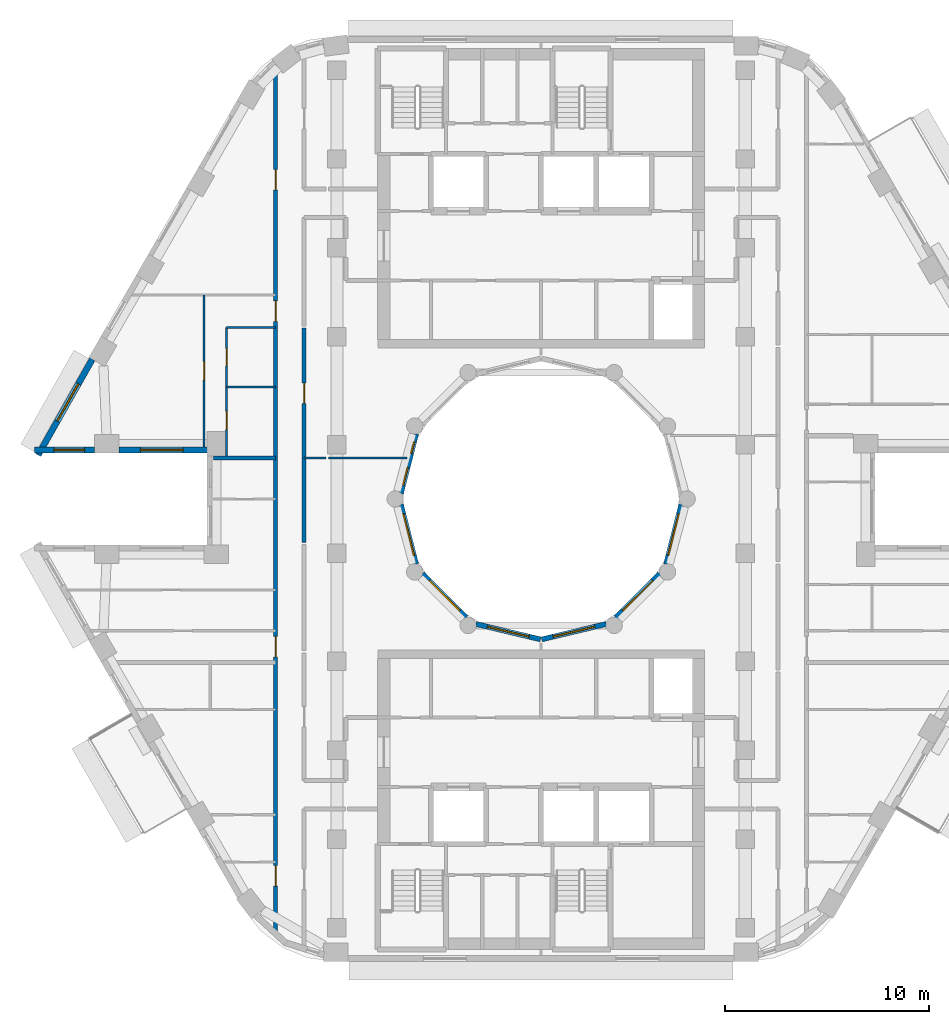
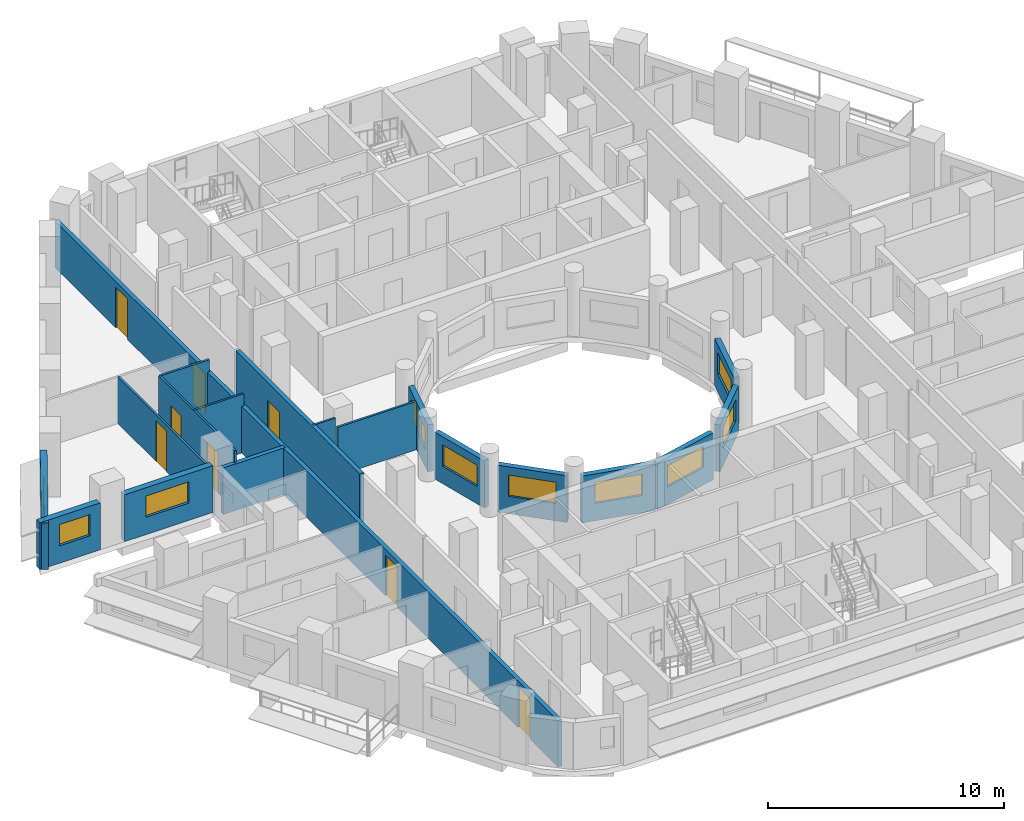
# One storey, part 5 of 18: 19 walls, 11 windows, 8 doors, 19 openings.
"""IFC4 building model written with IfcOpenShell, lengths in metres."""

from ifc_helpers import new_model, si_unit, direction, frame, frame_2d, origin, place, context, subcontext, project, spatial, rectangle, extrude, material, layer, layer_set, type_object, element, fill, save


model = new_model("IFC4")

# Units and contexts
model_context = context("Model", 3, precision=1e-05, world=origin(), true_north=direction((0.0, 1.0)))
body_context = subcontext(model_context, "Body", "Model", "MODEL_VIEW")
ifc_project = project(units=[si_unit("LENGTHUNIT", "METRE"), si_unit("AREAUNIT", "SQUARE_METRE"), si_unit("VOLUMEUNIT", "CUBIC_METRE"), si_unit("PLANEANGLEUNIT", "RADIAN"), si_unit("MASSUNIT", "GRAM", prefix="KILO")], contexts=[model_context])

# Site, building, storey
site_placement = place(None, origin())
site = spatial("IfcSite", under=ifc_project, at=site_placement, CompositionType="ELEMENT")
building_placement = place(site_placement, origin())
building = spatial("IfcBuilding", under=site, at=building_placement, Name="Nakaniwa Court", CompositionType="ELEMENT")
storey_placement = place(building_placement, frame((0.0, 0.0, 180.0)))
storey = spatial("IfcBuildingStorey", under=building, at=storey_placement, Name="L46", CompositionType="ELEMENT", Elevation=180.0)

# Wall, opening, door
ifc_material_1 = material(Name="Acoustic double stud partition")
ifc_layer_1 = layer(ifc_material_1, 0.199951171875)
ifc_layer_set_1 = layer_set([ifc_layer_1], Name="Acoustic double stud partition")
wall_type_1 = type_object("IfcWallType", Name="Acoustic double stud partition 200", PredefinedType="PARTITIONING", material=ifc_layer_set_1)
wall_1_placement = place(storey_placement, frame((68.39990234375, 88.36279296875, 0.0), z_axis=(0.0, 0.0, 1.0), x_axis=(0.0, -1.0, 0.0)))
wall_1 = element("IfcWall", 1, at=wall_1_placement, inside=storey, type_object=wall_type_1, Name="Partition PW-101", PredefinedType="PARTITIONING", context=body_context, shape_type="SweptSolid", body=[
    extrude(rectangle(XDim=10.485595703125, YDim=0.199951171875, at=frame_2d((5.24267578125, 0.0))), origin(), (0.0, 0.0, 1.0), 3.02490234375),
])
opening_1_placement = place(wall_1_placement, frame((2.68310546875, 0.0, 0.0)))
opening_1 = element("IfcOpeningElement", 2, at=opening_1_placement, cuts=wall_1, Name="Opening D-02-06", PredefinedType="OPENING", context=body_context, shape_type="SweptSolid", body=[
    extrude(rectangle(XDim=1.0, YDim=2.10009765625, at=frame_2d((0.5, 1.050048828125))), frame((0.0, 0.10986328125, 0.0), z_axis=(0.0, -1.0, 0.0), x_axis=(1.0, 0.0, 0.0)), (0.0, 0.0, 1.0), 0.219970703125),
])
ifc_material_2 = material(Name="Solid core timber door set, black veneer", Category="wood")
door_type_1 = type_object("IfcDoorType", Name="Internal door 1000", OperationType="NOTDEFINED", PredefinedType="DOOR", material=ifc_material_2)
door_1_placement = place(opening_1_placement, origin())
door_1 = element("IfcDoor", 3, at=door_1_placement, inside=storey, type_object=door_type_1, Name="Door D-02-06 L46-059", OperationType="SINGLE_SWING_RIGHT", OverallHeight=2.10009765625, OverallWidth=1.0, PredefinedType="DOOR", context=body_context, shape_type="SweptSolid", body=[
    extrude(rectangle(XDim=1.0, YDim=2.10009765625, at=frame_2d((0.5, 1.050048828125))), frame((0.0, 0.02490234375, 0.0), z_axis=(0.0, -1.0, 0.0), x_axis=(1.0, 0.0, 0.0)), (0.0, 0.0, 1.0), 0.050048828125),
])
fill(opening_1, door_1)

# Wall, openings, doors
wall_2_placement = place(storey_placement, frame((67.0, 58.67431640625, 0.0), z_axis=(0.0, 0.0, 1.0), x_axis=(0.0, 1.0, 0.0)))
wall_2 = element("IfcWall", 4, at=wall_2_placement, inside=storey, type_object=wall_type_1, Name="Partition PW-104", PredefinedType="PARTITIONING", context=body_context, shape_type="SweptSolid", body=[
    extrude(rectangle(XDim=42.591796875, YDim=0.199951171875, at=frame_2d((21.2958984375, 0.0))), origin(), (0.0, 0.0, 1.0), 2.405029296875),
])
opening_2_placement = place(wall_2_placement, frame((2.3759765625, 0.0, 0.0)))
opening_2 = element("IfcOpeningElement", 5, at=opening_2_placement, cuts=wall_2, Name="Opening D-01-04", PredefinedType="OPENING", context=body_context, shape_type="SweptSolid", body=[
    extrude(rectangle(XDim=1.0, YDim=2.10009765625, at=frame_2d((0.5, 1.050048828125))), frame((0.0, 0.10986328125, 0.0), z_axis=(0.0, -1.0, 0.0), x_axis=(1.0, 0.0, 0.0)), (0.0, 0.0, 1.0), 0.219970703125),
])
opening_3_placement = place(wall_2_placement, frame((13.60107421875, 0.0, 0.0)))
opening_3 = element("IfcOpeningElement", 6, at=opening_3_placement, cuts=wall_2, Name="Opening D-01-05", PredefinedType="OPENING", context=body_context, shape_type="SweptSolid", body=[
    extrude(rectangle(XDim=1.0, YDim=2.10009765625, at=frame_2d((0.5, 1.050048828125))), frame((0.0, 0.10986328125, 0.0), z_axis=(0.0, -1.0, 0.0), x_axis=(1.0, 0.0, 0.0)), (0.0, 0.0, 1.0), 0.219970703125),
])
opening_4_placement = place(wall_2_placement, frame((30.02587890625, 0.0, 0.0)))
opening_4 = element("IfcOpeningElement", 7, at=opening_4_placement, cuts=wall_2, Name="Opening D-01-06", PredefinedType="OPENING", context=body_context, shape_type="SweptSolid", body=[
    extrude(rectangle(XDim=1.0, YDim=2.10009765625, at=frame_2d((0.5, 1.050048828125))), frame((0.0, 0.10986328125, 0.0), z_axis=(0.0, -1.0, 0.0), x_axis=(1.0, 0.0, 0.0)), (0.0, 0.0, 1.0), 0.219970703125),
])
opening_5_placement = place(wall_2_placement, frame((36.45703125, 0.0, 0.0)))
opening_5 = element("IfcOpeningElement", 8, at=opening_5_placement, cuts=wall_2, Name="Opening D-02-08", PredefinedType="OPENING", context=body_context, shape_type="SweptSolid", body=[
    extrude(rectangle(XDim=1.0, YDim=2.10009765625, at=frame_2d((0.5, 1.050048828125))), frame((0.0, 0.10986328125, 0.0), z_axis=(0.0, -1.0, 0.0), x_axis=(1.0, 0.0, 0.0)), (0.0, 0.0, 1.0), 0.219970703125),
])
door_type_2 = type_object("IfcDoorType", Name="Flat entrance door 1000", OperationType="NOTDEFINED", PredefinedType="DOOR", material=ifc_material_2)
door_2_placement = place(opening_2_placement, origin())
door_2 = element("IfcDoor", 9, at=door_2_placement, inside=storey, type_object=door_type_2, Name="Door D-01-04 L46-045", OperationType="SINGLE_SWING_RIGHT", OverallHeight=2.10009765625, OverallWidth=1.0, PredefinedType="DOOR", context=body_context, shape_type="SweptSolid", body=[
    extrude(rectangle(XDim=1.0, YDim=2.10009765625, at=frame_2d((0.5, 1.050048828125))), frame((0.0, 0.02490234375, 0.0), z_axis=(0.0, -1.0, 0.0), x_axis=(1.0, 0.0, 0.0)), (0.0, 0.0, 1.0), 0.050048828125),
])
fill(opening_2, door_2)
door_3_placement = place(opening_3_placement, origin())
door_3 = element("IfcDoor", 10, at=door_3_placement, inside=storey, type_object=door_type_2, Name="Door D-01-05 L46-051", OperationType="SINGLE_SWING_RIGHT", OverallHeight=2.10009765625, OverallWidth=1.0, PredefinedType="DOOR", context=body_context, shape_type="SweptSolid", body=[
    extrude(rectangle(XDim=1.0, YDim=2.10009765625, at=frame_2d((0.5, 1.050048828125))), frame((0.0, 0.02490234375, 0.0), z_axis=(0.0, -1.0, 0.0), x_axis=(1.0, 0.0, 0.0)), (0.0, 0.0, 1.0), 0.050048828125),
])
fill(opening_3, door_3)
door_4_placement = place(opening_4_placement, origin())
door_4 = element("IfcDoor", 11, at=door_4_placement, inside=storey, type_object=door_type_2, Name="Door D-01-06 L46-055", OperationType="SINGLE_SWING_RIGHT", OverallHeight=2.10009765625, OverallWidth=1.0, PredefinedType="DOOR", context=body_context, shape_type="SweptSolid", body=[
    extrude(rectangle(XDim=1.0, YDim=2.10009765625, at=frame_2d((0.5, 1.050048828125))), frame((0.0, 0.02490234375, 0.0), z_axis=(0.0, -1.0, 0.0), x_axis=(1.0, 0.0, 0.0)), (0.0, 0.0, 1.0), 0.050048828125),
])
fill(opening_4, door_4)
door_5_placement = place(opening_5_placement, origin())
door_5 = element("IfcDoor", 12, at=door_5_placement, inside=storey, type_object=door_type_1, Name="Door D-02-08 L46-061", OperationType="SINGLE_SWING_RIGHT", OverallHeight=2.10009765625, OverallWidth=1.0, PredefinedType="DOOR", context=body_context, shape_type="SweptSolid", body=[
    extrude(rectangle(XDim=1.0, YDim=2.10009765625, at=frame_2d((0.5, 1.050048828125))), frame((0.0, 0.02490234375, 0.0), z_axis=(0.0, -1.0, 0.0), x_axis=(1.0, 0.0, 0.0)), (0.0, 0.0, 1.0), 0.050048828125),
])
fill(opening_5, door_5)

# Wall
wall_3_placement = place(storey_placement, frame((63.950439453125, 82.0, 0.0), z_axis=(0.0, 0.0, 1.0), x_axis=(1.0, 0.0, 0.0)))
element("IfcWall", 13, at=wall_3_placement, inside=storey, type_object=wall_type_1, Name="Partition PW-138", PredefinedType="PARTITIONING", context=body_context, shape_type="SweptSolid", body=[
    extrude(rectangle(XDim=3.048583984375, YDim=0.199951171875, at=frame_2d((1.5244140625, 0.0))), origin(), (0.0, 0.0, 1.0), 2.405029296875),
])

# Wall, opening, window
ifc_material_3 = material(Name="Charcoal ceramic cladding")
ifc_layer_2 = layer(ifc_material_3, 0.02, Name="Ceramic cladding")
ifc_material_4 = material(Name="Ventilated air cavity")
ifc_layer_3 = layer(ifc_material_4, 0.04, ventilated=True, Name="Ventilated cavity")
ifc_material_5 = material(Name="Mineral wool insulation")
ifc_layer_4 = layer(ifc_material_5, 0.1, Name="Insulation")
ifc_material_6 = material(Name="Cement bonded sheathing board")
ifc_layer_5 = layer(ifc_material_6, 0.012, Name="Sheathing")
ifc_material_7 = material(Name="Cold-formed galvanised stud frame with mineral wool infill")
ifc_layer_6 = layer(ifc_material_7, 0.1, Name="Stud frame")
ifc_material_8 = material(Name="Fire-rated gypsum plasterboard lining")
ifc_layer_7 = layer(ifc_material_8, 0.028, Name="Lining")
ifc_layer_set_2 = layer_set([ifc_layer_2, ifc_layer_3, ifc_layer_4, ifc_layer_5, ifc_layer_6, ifc_layer_7], Name="Charcoal ceramic faced external wall system")
wall_type_2 = type_object("IfcWallType", Name="Black ceramic faced external wall 300", PredefinedType="SOLIDWALL", material=ifc_layer_set_2)
wall_4_placement = place(storey_placement, frame((58.023193359375, 86.843017578125, 0.0), z_axis=(0.0, 0.0, 1.0), x_axis=(-0.492033360928, -0.870576344575, 0.0)))
wall_4 = element("IfcWall", 14, at=wall_4_placement, inside=storey, type_object=wall_type_2, Name="L46 external wall 14", PredefinedType="SOLIDWALL", context=body_context, shape_type="SweptSolid", body=[
    extrude(rectangle(XDim=5.38671875, YDim=0.300048828125, at=frame_2d((2.693359375, 0.0))), origin(), (0.0, 0.0, 1.0), 2.425048828125),
])
opening_6_placement = place(wall_4_placement, frame((1.38037109375, 0.0, 0.89990234375)))
opening_6 = element("IfcOpeningElement", 15, at=opening_6_placement, cuts=wall_4, Name="Opening W7.14", PredefinedType="OPENING", context=body_context, shape_type="SweptSolid", body=[
    extrude(rectangle(XDim=2.10009765625, YDim=1.10009765625, at=frame_2d((1.050048828125, 0.550048828125))), frame((0.0, 0.159912109375, 0.0), z_axis=(0.0, -1.0, 0.0), x_axis=(1.0, 0.0, 0.0)), (0.0, 0.0, 1.0), 0.320068359375),
])
ifc_material_9 = material(Name="Black anodised aluminium frame with dark low-E laminated double glazing", Category="aluminium")
window_type_1 = type_object("IfcWindowType", Name="Dark glass window 2100x1100 sill 900", PartitioningType="SINGLE_PANEL", PredefinedType="WINDOW", material=ifc_material_9)
window_1_placement = place(opening_6_placement, origin())
window_1 = element("IfcWindow", 16, at=window_1_placement, inside=storey, type_object=window_type_1, Name="L46 living window 14-0", OverallHeight=1.10009765625, OverallWidth=2.10009765625, PartitioningType="SINGLE_PANEL", PredefinedType="WINDOW", context=body_context, shape_type="SweptSolid", body=[
    extrude(rectangle(XDim=2.10009765625, YDim=1.10009765625, at=frame_2d((1.050048828125, 0.550048828125))), frame((0.0, 0.030029296875, 0.0), z_axis=(0.0, -1.0, 0.0), x_axis=(1.0, 0.0, 0.0)), (0.0, 0.0, 1.0), 0.06005859375),
])
fill(opening_6, window_1)

wall_5_placement = place(storey_placement, frame((55.2021484375, 82.39990234375, 0.0), z_axis=(0.0, 0.0, 1.0), x_axis=(1.0, 0.0, 0.0)))
wall_5 = element("IfcWall", 17, at=wall_5_placement, inside=storey, type_object=wall_type_2, Name="L46 external wall 15", PredefinedType="SOLIDWALL", context=body_context, shape_type="SweptSolid", body=[
    extrude(rectangle(XDim=2.937744140625, YDim=0.300048828125, at=frame_2d((1.46875, 0.0))), origin(), (0.0, 0.0, 1.0), 2.425048828125),
])
opening_7_placement = place(wall_5_placement, frame((0.944091796875, 0.0, 0.89990234375)))
opening_7 = element("IfcOpeningElement", 18, at=opening_7_placement, cuts=wall_5, Name="Opening W5.15", PredefinedType="OPENING", context=body_context, shape_type="SweptSolid", body=[
    extrude(rectangle(XDim=1.5, YDim=1.10009765625, at=frame_2d((0.75, 0.550048828125))), frame((0.0, 0.159912109375, 0.0), z_axis=(0.0, -1.0, 0.0), x_axis=(1.0, 0.0, 0.0)), (0.0, 0.0, 1.0), 0.320068359375),
])
window_type_2 = type_object("IfcWindowType", Name="Dark glass window 1500x1100 sill 900", PartitioningType="SINGLE_PANEL", PredefinedType="WINDOW", material=ifc_material_9)
window_2_placement = place(opening_7_placement, origin())
window_2 = element("IfcWindow", 19, at=window_2_placement, inside=storey, type_object=window_type_2, Name="L46 living window 15-0", OverallHeight=1.10009765625, OverallWidth=1.5, PartitioningType="SINGLE_PANEL", PredefinedType="WINDOW", context=body_context, shape_type="SweptSolid", body=[
    extrude(rectangle(XDim=1.5, YDim=1.10009765625, at=frame_2d((0.75, 0.550048828125))), frame((0.0, 0.030029296875, 0.0), z_axis=(0.0, -1.0, 0.0), x_axis=(1.0, 0.0, 0.0)), (0.0, 0.0, 1.0), 0.06005859375),
])
fill(opening_7, window_2)

wall_6_placement = place(storey_placement, frame((59.33203125, 82.39990234375, 0.0), z_axis=(0.0, 0.0, 1.0), x_axis=(1.0, 0.0, 0.0)))
wall_6 = element("IfcWall", 20, at=wall_6_placement, inside=storey, type_object=wall_type_2, Name="L46 external wall 16", PredefinedType="SOLIDWALL", context=body_context, shape_type="SweptSolid", body=[
    extrude(rectangle(XDim=4.322509765625, YDim=0.300048828125, at=frame_2d((2.1611328125, 0.0))), origin(), (0.0, 0.0, 1.0), 2.425048828125),
])
opening_8_placement = place(wall_6_placement, frame((1.04541015625, 0.0, 0.89990234375)))
opening_8 = element("IfcOpeningElement", 21, at=opening_8_placement, cuts=wall_6, Name="Opening W7.16", PredefinedType="OPENING", context=body_context, shape_type="SweptSolid", body=[
    extrude(rectangle(XDim=2.10009765625, YDim=1.10009765625, at=frame_2d((1.050048828125, 0.550048828125))), frame((0.0, 0.159912109375, 0.0), z_axis=(0.0, -1.0, 0.0), x_axis=(1.0, 0.0, 0.0)), (0.0, 0.0, 1.0), 0.320068359375),
])
window_3_placement = place(opening_8_placement, origin())
window_3 = element("IfcWindow", 22, at=window_3_placement, inside=storey, type_object=window_type_1, Name="L46 living window 16-0", OverallHeight=1.10009765625, OverallWidth=2.10009765625, PartitioningType="SINGLE_PANEL", PredefinedType="WINDOW", context=body_context, shape_type="SweptSolid", body=[
    extrude(rectangle(XDim=2.10009765625, YDim=1.10009765625, at=frame_2d((1.050048828125, 0.550048828125))), frame((0.0, 0.030029296875, 0.0), z_axis=(0.0, -1.0, 0.0), x_axis=(1.0, 0.0, 0.0)), (0.0, 0.0, 1.0), 0.06005859375),
])
fill(opening_8, window_3)

ifc_layer_8 = layer(ifc_material_3, 0.02, Name="Ceramic cladding")
ifc_layer_9 = layer(ifc_material_4, 0.04, ventilated=True, Name="Ventilated cavity")
ifc_layer_10 = layer(ifc_material_5, 0.075, Name="Insulation")
ifc_layer_11 = layer(ifc_material_6, 0.012, Name="Sheathing")
ifc_layer_12 = layer(ifc_material_7, 0.075, Name="Stud frame")
ifc_layer_13 = layer(ifc_material_8, 0.028, Name="Lining")
ifc_layer_set_3 = layer_set([ifc_layer_8, ifc_layer_9, ifc_layer_10, ifc_layer_11, ifc_layer_12, ifc_layer_13], Name="Charcoal ceramic faced external wall system")
wall_type_3 = type_object("IfcWallType", Name="Charcoal ceramic faced well wall 250", PredefinedType="SOLIDWALL", material=ifc_layer_set_3)
wall_7_placement = place(storey_placement, frame((86.8603515625, 79.72998046875, 0.0), z_axis=(0.0, 0.0, 1.0), x_axis=(-0.247055971283, -0.969001211069, 0.0)))
wall_7 = element("IfcWall", 23, at=wall_7_placement, inside=storey, type_object=wall_type_3, Name="L46 external wall 36", PredefinedType="SOLIDWALL", context=body_context, shape_type="SweptSolid", body=[
    extrude(rectangle(XDim=3.010009765625, YDim=0.25, at=frame_2d((1.5048828125, 0.0))), origin(), (0.0, 0.0, 1.0), 2.425048828125),
])
opening_9_placement = place(wall_7_placement, frame((0.46875, 0.0, 0.89990234375)))
opening_9 = element("IfcOpeningElement", 24, at=opening_9_placement, cuts=wall_7, Name="Opening W7.37", PredefinedType="OPENING", context=body_context, shape_type="SweptSolid", body=[
    extrude(rectangle(XDim=2.10009765625, YDim=1.10009765625, at=frame_2d((1.050048828125, 0.550048828125))), frame((0.0, 0.135009765625, 0.0), z_axis=(0.0, -1.0, 0.0), x_axis=(1.0, 0.0, 0.0)), (0.0, 0.0, 1.0), 0.27001953125),
])
window_4_placement = place(opening_9_placement, origin())
window_4 = element("IfcWindow", 25, at=window_4_placement, inside=storey, type_object=window_type_1, Name="L46 habitable room window 36-0", OverallHeight=1.10009765625, OverallWidth=2.10009765625, PartitioningType="SINGLE_PANEL", PredefinedType="WINDOW", context=body_context, shape_type="SweptSolid", body=[
    extrude(rectangle(XDim=2.10009765625, YDim=1.10009765625, at=frame_2d((1.050048828125, 0.550048828125))), frame((0.0, 0.030029296875, 0.0), z_axis=(0.0, -1.0, 0.0), x_axis=(1.0, 0.0, 0.0)), (0.0, 0.0, 1.0), 0.06005859375),
])
fill(opening_9, window_4)

wall_8_placement = place(storey_placement, frame((85.8056640625, 76.339111328125, 0.0), z_axis=(0.0, 0.0, 1.0), x_axis=(-0.707106781187, -0.707106781187, 0.0)))
wall_8 = element("IfcWall", 26, at=wall_8_placement, inside=storey, type_object=wall_type_3, Name="L46 external wall 37", PredefinedType="SOLIDWALL", context=body_context, shape_type="SweptSolid", body=[
    extrude(rectangle(XDim=3.033203125, YDim=0.25, at=frame_2d((1.5166015625, 0.0))), origin(), (0.0, 0.0, 1.0), 2.425048828125),
])
opening_10_placement = place(wall_8_placement, frame((0.466552734375, 0.0, 0.89990234375)))
opening_10 = element("IfcOpeningElement", 27, at=opening_10_placement, cuts=wall_8, Name="Opening W7.38", PredefinedType="OPENING", context=body_context, shape_type="SweptSolid", body=[
    extrude(rectangle(XDim=2.10009765625, YDim=1.10009765625, at=frame_2d((1.050048828125, 0.550048828125))), frame((0.0, 0.135009765625, 0.0), z_axis=(0.0, -1.0, 0.0), x_axis=(1.0, 0.0, 0.0)), (0.0, 0.0, 1.0), 0.27001953125),
])
window_5_placement = place(opening_10_placement, origin())
window_5 = element("IfcWindow", 28, at=window_5_placement, inside=storey, type_object=window_type_1, Name="L46 habitable room window 37-0", OverallHeight=1.10009765625, OverallWidth=2.10009765625, PartitioningType="SINGLE_PANEL", PredefinedType="WINDOW", context=body_context, shape_type="SweptSolid", body=[
    extrude(rectangle(XDim=2.10009765625, YDim=1.10009765625, at=frame_2d((1.050048828125, 0.550048828125))), frame((0.0, 0.030029296875, 0.0), z_axis=(0.0, -1.0, 0.0), x_axis=(1.0, 0.0, 0.0)), (0.0, 0.0, 1.0), 0.06005859375),
])
fill(opening_10, window_5)

wall_9_placement = place(storey_placement, frame((83.186279296875, 73.880615234375, 0.0), z_axis=(0.0, 0.0, 1.0), x_axis=(-0.972773113459, -0.231759508395, 0.0)))
wall_9 = element("IfcWall", 29, at=wall_9_placement, inside=storey, type_object=wall_type_3, Name="L46 external wall 38", PredefinedType="SOLIDWALL", context=body_context, shape_type="SweptSolid", body=[
    extrude(rectangle(XDim=3.24560546875, YDim=0.25, at=frame_2d((1.622802734375, 0.0))), origin(), (0.0, 0.0, 1.0), 2.425048828125),
])
opening_11_placement = place(wall_9_placement, frame((0.57275390625, 0.0, 0.89990234375)))
opening_11 = element("IfcOpeningElement", 30, at=opening_11_placement, cuts=wall_9, Name="Opening W7.39", PredefinedType="OPENING", context=body_context, shape_type="SweptSolid", body=[
    extrude(rectangle(XDim=2.10009765625, YDim=1.10009765625, at=frame_2d((1.050048828125, 0.550048828125))), frame((0.0, 0.135009765625, 0.0), z_axis=(0.0, -1.0, 0.0), x_axis=(1.0, 0.0, 0.0)), (0.0, 0.0, 1.0), 0.27001953125),
])
window_6_placement = place(opening_11_placement, origin())
window_6 = element("IfcWindow", 31, at=window_6_placement, inside=storey, type_object=window_type_1, Name="L46 habitable room window 38-0", OverallHeight=1.10009765625, OverallWidth=2.10009765625, PartitioningType="SINGLE_PANEL", PredefinedType="WINDOW", context=body_context, shape_type="SweptSolid", body=[
    extrude(rectangle(XDim=2.10009765625, YDim=1.10009765625, at=frame_2d((1.050048828125, 0.550048828125))), frame((0.0, 0.030029296875, 0.0), z_axis=(0.0, -1.0, 0.0), x_axis=(1.0, 0.0, 0.0)), (0.0, 0.0, 1.0), 0.06005859375),
])
fill(opening_11, window_6)

wall_10_placement = place(storey_placement, frame((79.970947265625, 73.12841796875, 0.0), z_axis=(0.0, 0.0, 1.0), x_axis=(-0.972773113459, 0.231759508395, 0.0)))
wall_10 = element("IfcWall", 32, at=wall_10_placement, inside=storey, type_object=wall_type_3, Name="L46 external wall 39", PredefinedType="SOLIDWALL", context=body_context, shape_type="SweptSolid", body=[
    extrude(rectangle(XDim=3.24560546875, YDim=0.25, at=frame_2d((1.622802734375, 0.0))), origin(), (0.0, 0.0, 1.0), 2.425048828125),
])
opening_12_placement = place(wall_10_placement, frame((0.57275390625, 0.0, 0.89990234375)))
opening_12 = element("IfcOpeningElement", 33, at=opening_12_placement, cuts=wall_10, Name="Opening W7.40", PredefinedType="OPENING", context=body_context, shape_type="SweptSolid", body=[
    extrude(rectangle(XDim=2.10009765625, YDim=1.10009765625, at=frame_2d((1.050048828125, 0.550048828125))), frame((0.0, 0.135009765625, 0.0), z_axis=(0.0, -1.0, 0.0), x_axis=(1.0, 0.0, 0.0)), (0.0, 0.0, 1.0), 0.27001953125),
])
window_7_placement = place(opening_12_placement, origin())
window_7 = element("IfcWindow", 34, at=window_7_placement, inside=storey, type_object=window_type_1, Name="L46 habitable room window 39-0", OverallHeight=1.10009765625, OverallWidth=2.10009765625, PartitioningType="SINGLE_PANEL", PredefinedType="WINDOW", context=body_context, shape_type="SweptSolid", body=[
    extrude(rectangle(XDim=2.10009765625, YDim=1.10009765625, at=frame_2d((1.050048828125, 0.550048828125))), frame((0.0, 0.030029296875, 0.0), z_axis=(0.0, -1.0, 0.0), x_axis=(1.0, 0.0, 0.0)), (0.0, 0.0, 1.0), 0.06005859375),
])
fill(opening_12, window_7)

wall_11_placement = place(storey_placement, frame((76.339111328125, 74.1943359375, 0.0), z_axis=(0.0, 0.0, 1.0), x_axis=(-0.707106781187, 0.707106781187, 0.0)))
wall_11 = element("IfcWall", 35, at=wall_11_placement, inside=storey, type_object=wall_type_3, Name="L46 external wall 40", PredefinedType="SOLIDWALL", context=body_context, shape_type="SweptSolid", body=[
    extrude(rectangle(XDim=3.033203125, YDim=0.25, at=frame_2d((1.5166015625, 0.0))), origin(), (0.0, 0.0, 1.0), 2.425048828125),
])
opening_13_placement = place(wall_11_placement, frame((0.466552734375, 0.0, 0.89990234375)))
opening_13 = element("IfcOpeningElement", 36, at=opening_13_placement, cuts=wall_11, Name="Opening W7.41", PredefinedType="OPENING", context=body_context, shape_type="SweptSolid", body=[
    extrude(rectangle(XDim=2.10009765625, YDim=1.10009765625, at=frame_2d((1.050048828125, 0.550048828125))), frame((0.0, 0.135009765625, 0.0), z_axis=(0.0, -1.0, 0.0), x_axis=(1.0, 0.0, 0.0)), (0.0, 0.0, 1.0), 0.27001953125),
])
window_8_placement = place(opening_13_placement, origin())
window_8 = element("IfcWindow", 37, at=window_8_placement, inside=storey, type_object=window_type_1, Name="L46 habitable room window 40-0", OverallHeight=1.10009765625, OverallWidth=2.10009765625, PartitioningType="SINGLE_PANEL", PredefinedType="WINDOW", context=body_context, shape_type="SweptSolid", body=[
    extrude(rectangle(XDim=2.10009765625, YDim=1.10009765625, at=frame_2d((1.050048828125, 0.550048828125))), frame((0.0, 0.030029296875, 0.0), z_axis=(0.0, -1.0, 0.0), x_axis=(1.0, 0.0, 0.0)), (0.0, 0.0, 1.0), 0.06005859375),
])
fill(opening_13, window_8)

wall_12_placement = place(storey_placement, frame((73.88330078125, 76.813232421875, 0.0), z_axis=(0.0, 0.0, 1.0), x_axis=(-0.247055971283, 0.969001211069, 0.0)))
wall_12 = element("IfcWall", 38, at=wall_12_placement, inside=storey, type_object=wall_type_3, Name="L46 external wall 41", PredefinedType="SOLIDWALL", context=body_context, shape_type="SweptSolid", body=[
    extrude(rectangle(XDim=3.010009765625, YDim=0.25, at=frame_2d((1.5048828125, 0.0))), origin(), (0.0, 0.0, 1.0), 2.425048828125),
])
opening_14_placement = place(wall_12_placement, frame((0.441162109375, 0.0, 0.89990234375)))
opening_14 = element("IfcOpeningElement", 39, at=opening_14_placement, cuts=wall_12, Name="Opening W7.42", PredefinedType="OPENING", context=body_context, shape_type="SweptSolid", body=[
    extrude(rectangle(XDim=2.10009765625, YDim=1.10009765625, at=frame_2d((1.050048828125, 0.550048828125))), frame((0.0, 0.135009765625, 0.0), z_axis=(0.0, -1.0, 0.0), x_axis=(1.0, 0.0, 0.0)), (0.0, 0.0, 1.0), 0.27001953125),
])
window_9_placement = place(opening_14_placement, origin())
window_9 = element("IfcWindow", 40, at=window_9_placement, inside=storey, type_object=window_type_1, Name="L46 habitable room window 41-0", OverallHeight=1.10009765625, OverallWidth=2.10009765625, PartitioningType="SINGLE_PANEL", PredefinedType="WINDOW", context=body_context, shape_type="SweptSolid", body=[
    extrude(rectangle(XDim=2.10009765625, YDim=1.10009765625, at=frame_2d((1.050048828125, 0.550048828125))), frame((0.0, 0.030029296875, 0.0), z_axis=(0.0, -1.0, 0.0), x_axis=(1.0, 0.0, 0.0)), (0.0, 0.0, 1.0), 0.06005859375),
])
fill(opening_14, window_9)

# Wall, openings, windows
wall_13_placement = place(storey_placement, frame((73.1396484375, 80.27001953125, 0.0), z_axis=(0.0, 0.0, 1.0), x_axis=(0.247055971283, 0.969001211069, 0.0)))
wall_13 = element("IfcWall", 41, at=wall_13_placement, inside=storey, type_object=wall_type_3, Name="L46 external wall 42", PredefinedType="SOLIDWALL", context=body_context, shape_type="SweptSolid", body=[
    extrude(rectangle(XDim=3.010009765625, YDim=0.25, at=frame_2d((1.5048828125, 0.0))), origin(), (0.0, 0.0, 1.0), 2.425048828125),
])
opening_15_placement = place(wall_13_placement, frame((0.418701171875, 0.0, 0.89990234375)))
opening_15 = element("IfcOpeningElement", 42, at=opening_15_placement, cuts=wall_13, Name="Opening W9.43", PredefinedType="OPENING", context=body_context, shape_type="SweptSolid", body=[
    extrude(rectangle(XDim=0.89990234375, YDim=1.10009765625, at=frame_2d((0.449951171875, 0.550048828125))), frame((0.0, 0.135009765625, 0.0), z_axis=(0.0, -1.0, 0.0), x_axis=(1.0, 0.0, 0.0)), (0.0, 0.0, 1.0), 0.27001953125),
])
opening_16_placement = place(wall_13_placement, frame((2.018310546875, 0.0, 0.89990234375)))
opening_16 = element("IfcOpeningElement", 43, at=opening_16_placement, cuts=wall_13, Name="Opening W8.44", PredefinedType="OPENING", context=body_context, shape_type="SweptSolid", body=[
    extrude(rectangle(XDim=0.60009765625, YDim=1.10009765625, at=frame_2d((0.300048828125, 0.550048828125))), frame((0.0, 0.135009765625, 0.0), z_axis=(0.0, -1.0, 0.0), x_axis=(1.0, 0.0, 0.0)), (0.0, 0.0, 1.0), 0.27001953125),
])
window_type_3 = type_object("IfcWindowType", Name="Dark glass window 600x1100 sill 900", PartitioningType="SINGLE_PANEL", PredefinedType="WINDOW", material=ifc_material_9)
window_10_placement = place(opening_16_placement, origin())
window_10 = element("IfcWindow", 44, at=window_10_placement, inside=storey, type_object=window_type_3, Name="L46 habitable room window 42-1", OverallHeight=1.10009765625, OverallWidth=0.60009765625, PartitioningType="SINGLE_PANEL", PredefinedType="WINDOW", context=body_context, shape_type="SweptSolid", body=[
    extrude(rectangle(XDim=0.60009765625, YDim=1.10009765625, at=frame_2d((0.300048828125, 0.550048828125))), frame((0.0, 0.030029296875, 0.0), z_axis=(0.0, -1.0, 0.0), x_axis=(1.0, 0.0, 0.0)), (0.0, 0.0, 1.0), 0.06005859375),
])
fill(opening_16, window_10)
window_type_4 = type_object("IfcWindowType", Name="Dark glass window 900x1100 sill 900", PartitioningType="SINGLE_PANEL", PredefinedType="WINDOW", material=ifc_material_9)
window_11_placement = place(opening_15_placement, origin())
window_11 = element("IfcWindow", 45, at=window_11_placement, inside=storey, type_object=window_type_4, Name="L46 habitable room window 42-0", OverallHeight=1.10009765625, OverallWidth=0.89990234375, PartitioningType="SINGLE_PANEL", PredefinedType="WINDOW", context=body_context, shape_type="SweptSolid", body=[
    extrude(rectangle(XDim=0.89990234375, YDim=1.10009765625, at=frame_2d((0.449951171875, 0.550048828125))), frame((0.0, 0.030029296875, 0.0), z_axis=(0.0, -1.0, 0.0), x_axis=(1.0, 0.0, 0.0)), (0.0, 0.0, 1.0), 0.06005859375),
])
fill(opening_15, window_11)

# Walls
ifc_material_10 = material(Name="Single stud plasterboard partition")
ifc_layer_14 = layer(ifc_material_10, 0.10009765625)
ifc_layer_set_4 = layer_set([ifc_layer_14], Name="Single stud plasterboard partition")
wall_type_4 = type_object("IfcWallType", Name="Single stud plasterboard partition 100", PredefinedType="PARTITIONING", material=ifc_layer_set_4)
wall_14_placement = place(storey_placement, frame((68.40087890625, 82.0, 0.0), z_axis=(0.0, 0.0, 1.0), x_axis=(1.0, 0.0, 0.0)))
element("IfcWall", 46, at=wall_14_placement, inside=storey, type_object=wall_type_4, Name="Partition PW-134", PredefinedType="PARTITIONING", context=body_context, shape_type="SweptSolid", body=[
    extrude(rectangle(XDim=1.072021484375, YDim=0.10009765625, at=frame_2d((0.5361328125, 0.0))), origin(), (0.0, 0.0, 1.0), 3.02490234375),
])
wall_15_placement = place(storey_placement, frame((69.5869140625, 82.0, 0.0), z_axis=(0.0, 0.0, 1.0), x_axis=(1.0, 0.0, 0.0)))
element("IfcWall", 47, at=wall_15_placement, inside=storey, type_object=wall_type_4, Name="Partition PW-135", PredefinedType="PARTITIONING", context=body_context, shape_type="SweptSolid", body=[
    extrude(rectangle(XDim=3.8349609375, YDim=0.10009765625, at=frame_2d((1.91748046875, 0.0))), origin(), (0.0, 0.0, 1.0), 2.5048828125),
])
wall_16_placement = place(storey_placement, frame((64.59912109375, 85.490966796875, 0.0), z_axis=(0.0, 0.0, 1.0), x_axis=(1.0, 0.0, 0.0)))
element("IfcWall", 48, at=wall_16_placement, inside=storey, type_object=wall_type_4, Name="Partition PW-139", PredefinedType="PARTITIONING", context=body_context, shape_type="SweptSolid", body=[
    extrude(rectangle(XDim=2.39990234375, YDim=0.10009765625, at=frame_2d((1.199951171875, 0.0))), origin(), (0.0, 0.0, 1.0), 3.02490234375),
])

# Wall, openings, doors
wall_17_placement = place(storey_placement, frame((64.59912109375, 88.39990234375, 0.0), z_axis=(0.0, 0.0, 1.0), x_axis=(0.0, -1.0, 0.0)))
wall_17 = element("IfcWall", 49, at=wall_17_placement, inside=storey, type_object=wall_type_4, Name="Partition PW-140", PredefinedType="PARTITIONING", context=body_context, shape_type="SweptSolid", body=[
    extrude(rectangle(XDim=6.39990234375, YDim=0.10009765625, at=frame_2d((3.199951171875, 0.0))), origin(), (0.0, 0.0, 1.0), 3.02490234375),
])
opening_17_placement = place(wall_17_placement, frame((4.10498046875, 0.0, 0.0)))
opening_17 = element("IfcOpeningElement", 50, at=opening_17_placement, cuts=wall_17, Name="Opening D-33-14", PredefinedType="OPENING", context=body_context, shape_type="SweptSolid", body=[
    extrude(rectangle(XDim=0.89990234375, YDim=2.10009765625, at=frame_2d((0.449951171875, 1.050048828125))), frame((0.0, 0.06005859375, 0.0), z_axis=(0.0, -1.0, 0.0), x_axis=(1.0, 0.0, 0.0)), (0.0, 0.0, 1.0), 0.1201171875),
])
opening_18_placement = place(wall_17_placement, frame((1.030029296875, 0.0, 0.0)))
opening_18 = element("IfcOpeningElement", 51, at=opening_18_placement, cuts=wall_17, Name="Opening D-03-06", PredefinedType="OPENING", context=body_context, shape_type="SweptSolid", body=[
    extrude(rectangle(XDim=0.85009765625, YDim=2.10009765625, at=frame_2d((0.425048828125, 1.050048828125))), frame((0.0, 0.06005859375, 0.0), z_axis=(0.0, -1.0, 0.0), x_axis=(1.0, 0.0, 0.0)), (0.0, 0.0, 1.0), 0.1201171875),
])
ifc_material_11 = material(Name="Moisture sealed timber door set", Category="wood")
door_type_3 = type_object("IfcDoorType", Name="Bathroom door 850", OperationType="NOTDEFINED", PredefinedType="DOOR", material=ifc_material_11)
door_6_placement = place(opening_18_placement, origin())
door_6 = element("IfcDoor", 52, at=door_6_placement, inside=storey, type_object=door_type_3, Name="Door D-03-06 L46-057", OperationType="SINGLE_SWING_RIGHT", OverallHeight=2.10009765625, OverallWidth=0.85009765625, PredefinedType="DOOR", context=body_context, shape_type="SweptSolid", body=[
    extrude(rectangle(XDim=0.85009765625, YDim=2.10009765625, at=frame_2d((0.425048828125, 1.050048828125))), frame((0.0, 0.02490234375, 0.0), z_axis=(0.0, -1.0, 0.0), x_axis=(1.0, 0.0, 0.0)), (0.0, 0.0, 1.0), 0.050048828125),
])
fill(opening_18, door_6)
door_type_4 = type_object("IfcDoorType", Name="Internal door 900", OperationType="NOTDEFINED", PredefinedType="DOOR", material=ifc_material_2)
door_7_placement = place(opening_17_placement, origin())
door_7 = element("IfcDoor", 53, at=door_7_placement, inside=storey, type_object=door_type_4, Name="Door D-33-14 L46-056", OperationType="SINGLE_SWING_LEFT", OverallHeight=2.10009765625, OverallWidth=0.89990234375, PredefinedType="DOOR", context=body_context, shape_type="SweptSolid", body=[
    extrude(rectangle(XDim=0.89990234375, YDim=2.10009765625, at=frame_2d((0.449951171875, 1.050048828125))), frame((0.0, 0.02490234375, 0.0), z_axis=(0.0, -1.0, 0.0), x_axis=(1.0, 0.0, 0.0)), (0.0, 0.0, 1.0), 0.050048828125),
])
fill(opening_17, door_7)

# Wall
wall_18_placement = place(storey_placement, frame((64.59912109375, 88.39990234375, 0.0), z_axis=(0.0, 0.0, 1.0), x_axis=(1.0, 0.0, 0.0)))
element("IfcWall", 54, at=wall_18_placement, inside=storey, type_object=wall_type_4, Name="Partition PW-141", PredefinedType="PARTITIONING", context=body_context, shape_type="SweptSolid", body=[
    extrude(rectangle(XDim=2.39990234375, YDim=0.10009765625, at=frame_2d((1.199951171875, 0.0))), origin(), (0.0, 0.0, 1.0), 3.02490234375),
])

# Wall, opening, door
wall_19_placement = place(storey_placement, frame((63.4990234375, 82.550048828125, 0.0), z_axis=(0.0, 0.0, 1.0), x_axis=(0.0, 1.0, 0.0)))
wall_19 = element("IfcWall", 55, at=wall_19_placement, inside=storey, type_object=wall_type_4, Name="Partition PW-142", PredefinedType="PARTITIONING", context=body_context, shape_type="SweptSolid", body=[
    extrude(rectangle(XDim=7.449951171875, YDim=0.10009765625, at=frame_2d((3.72509765625, 0.0))), origin(), (0.0, 0.0, 1.0), 2.405029296875),
])
opening_19_placement = place(wall_19_placement, frame((3.27490234375, 0.0, 0.0)))
opening_19 = element("IfcOpeningElement", 56, at=opening_19_placement, cuts=wall_19, Name="Opening D-33-15", PredefinedType="OPENING", context=body_context, shape_type="SweptSolid", body=[
    extrude(rectangle(XDim=0.89990234375, YDim=2.10009765625, at=frame_2d((0.449951171875, 1.050048828125))), frame((0.0, 0.06005859375, 0.0), z_axis=(0.0, -1.0, 0.0), x_axis=(1.0, 0.0, 0.0)), (0.0, 0.0, 1.0), 0.1201171875),
])
door_8_placement = place(opening_19_placement, origin())
door_8 = element("IfcDoor", 57, at=door_8_placement, inside=storey, type_object=door_type_4, Name="Door D-33-15 L46-058", OperationType="SINGLE_SWING_LEFT", OverallHeight=2.10009765625, OverallWidth=0.89990234375, PredefinedType="DOOR", context=body_context, shape_type="SweptSolid", body=[
    extrude(rectangle(XDim=0.89990234375, YDim=2.10009765625, at=frame_2d((0.449951171875, 1.050048828125))), frame((0.0, 0.02490234375, 0.0), z_axis=(0.0, -1.0, 0.0), x_axis=(1.0, 0.0, 0.0)), (0.0, 0.0, 1.0), 0.050048828125),
])
fill(opening_19, door_8)

save(model, "model.ifc")
